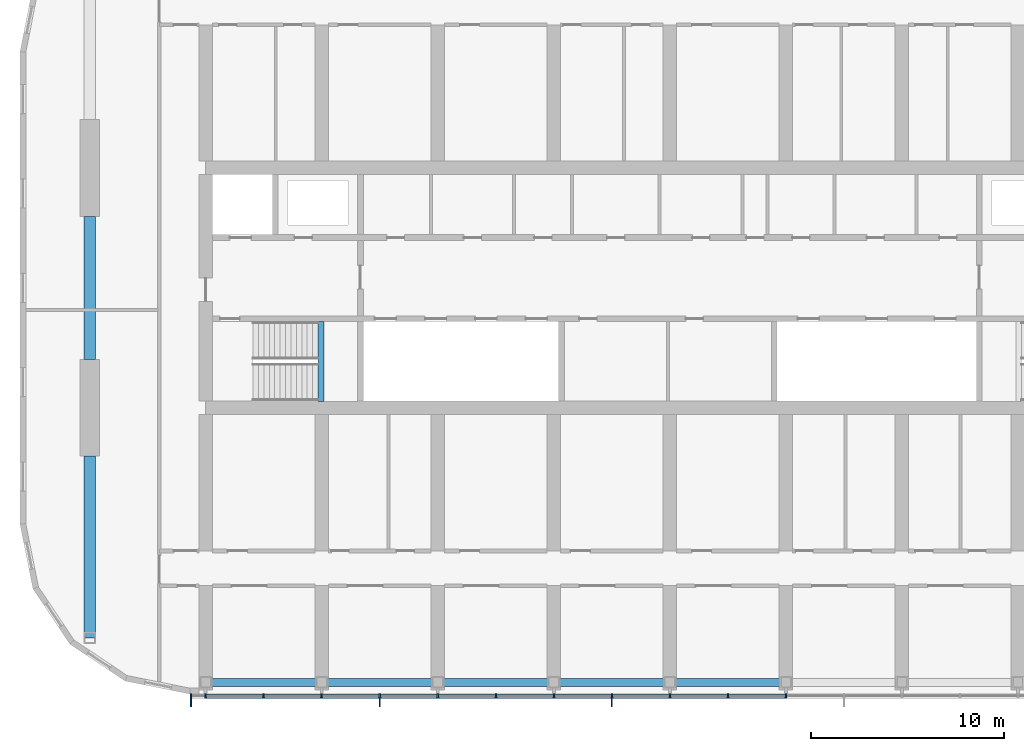
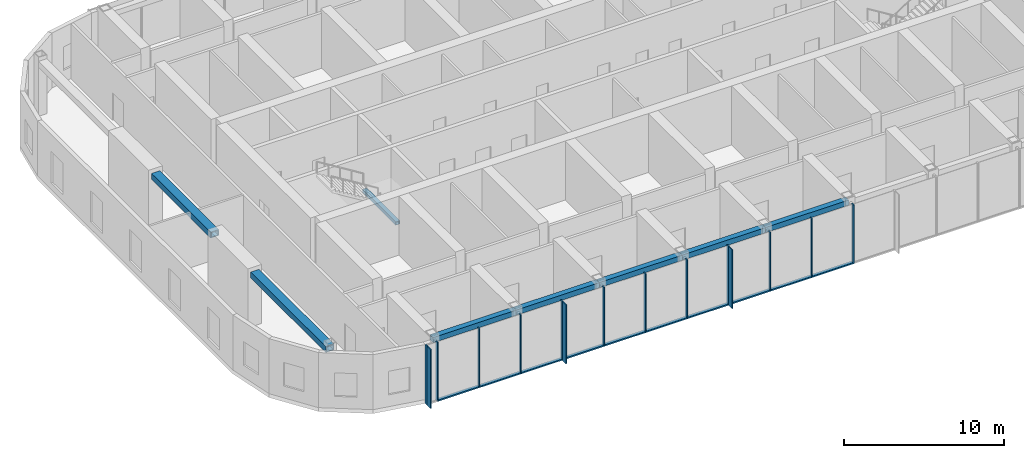
# One storey, part 2 of 21: 25 members, 8 beams, 1 element without a shape of its own.
"""IFC4 building model written with IfcOpenShell, lengths in metres."""

from ifc_helpers import new_model, si_unit, direction, frame, origin, origin_2d, place, context, subcontext, project, spatial, rectangle, hollow_rectangle, extrude, material, material_profile, profile_set, type_object, element, aggregate, save


model = new_model("IFC4")

# Units and contexts
model_context = context("Model", 3, precision=1e-05, world=origin(), true_north=direction((0.0, 1.0)))
body_context = subcontext(model_context, "Body", "Model", "MODEL_VIEW")
ifc_project = project(units=[si_unit("LENGTHUNIT", "METRE"), si_unit("AREAUNIT", "SQUARE_METRE"), si_unit("VOLUMEUNIT", "CUBIC_METRE"), si_unit("PLANEANGLEUNIT", "RADIAN"), si_unit("MASSUNIT", "GRAM", prefix="KILO")], contexts=[model_context])

# Site, building, storey
site_placement = place(None, origin())
site = spatial("IfcSite", under=ifc_project, at=site_placement, CompositionType="ELEMENT")
building_placement = place(site_placement, origin())
building = spatial("IfcBuilding", under=site, at=building_placement, Name="Orbita Commons", CompositionType="ELEMENT")
storey_placement = place(building_placement, frame((0.0, 0.0, 257.800048828125)))
storey = spatial("IfcBuildingStorey", under=building, at=storey_placement, Name="L64", CompositionType="ELEMENT", Elevation=257.800048828125)

# Curtain wall, members
ifc_material_1 = material(Name="Anodised aluminium frame, pale silver", Category="aluminium")
curtain_wall_type = type_object("IfcCurtainWallType", Name="Unitised curtain wall CW-S, full-height", PredefinedType="NOTDEFINED", material=ifc_material_1)
curtain_wall_placement = place(storey_placement, origin())
curtain_wall = element("IfcCurtainWall", 1, at=curtain_wall_placement, inside=storey, type_object=curtain_wall_type, Name="Curtain wall south L64", PredefinedType="NOTDEFINED")
ifc_material_2 = material(Name="Anodised aluminium, pale silver", Category="aluminium")
ifc_material_profile_1 = material_profile(ifc_material_2, rectangle(XDim=0.080078125, YDim=0.219970703125, at=origin_2d()), Name="AL 80x220")
ifc_profile_set_1 = profile_set([ifc_material_profile_1], Name="Anodised aluminium, pale silver")
member_type_1 = type_object("IfcMemberType", Name="Curtain wall mullion 80x220", PredefinedType="MULLION", material=ifc_profile_set_1)
member_1_placement = place(storey_placement, frame((17.239990234375, 10.889892578125, -0.300048828125), z_axis=(0.0, 0.0, 1.0), x_axis=(1.0, 0.0, 0.0)))
member_1 = element("IfcMember", 2, at=member_1_placement, type_object=member_type_1, Name="Mullion 1 CW-L64-S", PredefinedType="MULLION", context=body_context, shape_type="SweptSolid", body=[
    extrude(rectangle(XDim=0.080078125, YDim=0.219970703125, at=origin_2d()), origin(), (0.0, 0.0, 1.0), 4.5),
])
member_2_placement = place(storey_placement, frame((18.0, 10.889892578125, -0.300048828125), z_axis=(0.0, 0.0, 1.0), x_axis=(1.0, 0.0, 0.0)))
member_2 = element("IfcMember", 3, at=member_2_placement, type_object=member_type_1, Name="Mullion 2 CW-L64-S", PredefinedType="MULLION", context=body_context, shape_type="SweptSolid", body=[
    extrude(rectangle(XDim=0.080078125, YDim=0.219970703125, at=origin_2d()), origin(), (0.0, 0.0, 1.0), 4.5),
])
member_3_placement = place(storey_placement, frame((21.0, 10.889892578125, -0.300048828125), z_axis=(0.0, 0.0, 1.0), x_axis=(1.0, 0.0, 0.0)))
member_3 = element("IfcMember", 4, at=member_3_placement, type_object=member_type_1, Name="Mullion 3 CW-L64-S", PredefinedType="MULLION", context=body_context, shape_type="SweptSolid", body=[
    extrude(rectangle(XDim=0.080078125, YDim=0.219970703125, at=origin_2d()), origin(), (0.0, 0.0, 1.0), 4.5),
])
member_4_placement = place(storey_placement, frame((24.0, 10.889892578125, -0.300048828125), z_axis=(0.0, 0.0, 1.0), x_axis=(1.0, 0.0, 0.0)))
member_4 = element("IfcMember", 5, at=member_4_placement, type_object=member_type_1, Name="Mullion 4 CW-L64-S", PredefinedType="MULLION", context=body_context, shape_type="SweptSolid", body=[
    extrude(rectangle(XDim=0.080078125, YDim=0.219970703125, at=origin_2d()), origin(), (0.0, 0.0, 1.0), 4.5),
])
member_5_placement = place(storey_placement, frame((27.0, 10.889892578125, -0.300048828125), z_axis=(0.0, 0.0, 1.0), x_axis=(1.0, 0.0, 0.0)))
member_5 = element("IfcMember", 6, at=member_5_placement, type_object=member_type_1, Name="Mullion 5 CW-L64-S", PredefinedType="MULLION", context=body_context, shape_type="SweptSolid", body=[
    extrude(rectangle(XDim=0.080078125, YDim=0.219970703125, at=origin_2d()), origin(), (0.0, 0.0, 1.0), 4.5),
])
member_6_placement = place(storey_placement, frame((30.0, 10.889892578125, -0.300048828125), z_axis=(0.0, 0.0, 1.0), x_axis=(1.0, 0.0, 0.0)))
member_6 = element("IfcMember", 7, at=member_6_placement, type_object=member_type_1, Name="Mullion 6 CW-L64-S", PredefinedType="MULLION", context=body_context, shape_type="SweptSolid", body=[
    extrude(rectangle(XDim=0.080078125, YDim=0.219970703125, at=origin_2d()), origin(), (0.0, 0.0, 1.0), 4.5),
])
member_7_placement = place(storey_placement, frame((33.0, 10.889892578125, -0.300048828125), z_axis=(0.0, 0.0, 1.0), x_axis=(1.0, 0.0, 0.0)))
member_7 = element("IfcMember", 8, at=member_7_placement, type_object=member_type_1, Name="Mullion 7 CW-L64-S", PredefinedType="MULLION", context=body_context, shape_type="SweptSolid", body=[
    extrude(rectangle(XDim=0.080078125, YDim=0.219970703125, at=origin_2d()), origin(), (0.0, 0.0, 1.0), 4.5),
])
member_8_placement = place(storey_placement, frame((36.0, 10.889892578125, -0.300048828125), z_axis=(0.0, 0.0, 1.0), x_axis=(1.0, 0.0, 0.0)))
member_8 = element("IfcMember", 9, at=member_8_placement, type_object=member_type_1, Name="Mullion 8 CW-L64-S", PredefinedType="MULLION", context=body_context, shape_type="SweptSolid", body=[
    extrude(rectangle(XDim=0.080078125, YDim=0.219970703125, at=origin_2d()), origin(), (0.0, 0.0, 1.0), 4.5),
])
member_9_placement = place(storey_placement, frame((39.0, 10.889892578125, -0.300048828125), z_axis=(0.0, 0.0, 1.0), x_axis=(1.0, 0.0, 0.0)))
member_9 = element("IfcMember", 10, at=member_9_placement, type_object=member_type_1, Name="Mullion 9 CW-L64-S", PredefinedType="MULLION", context=body_context, shape_type="SweptSolid", body=[
    extrude(rectangle(XDim=0.080078125, YDim=0.219970703125, at=origin_2d()), origin(), (0.0, 0.0, 1.0), 4.5),
])
member_10_placement = place(storey_placement, frame((42.0, 10.889892578125, -0.300048828125), z_axis=(0.0, 0.0, 1.0), x_axis=(1.0, 0.0, 0.0)))
member_10 = element("IfcMember", 11, at=member_10_placement, type_object=member_type_1, Name="Mullion 10 CW-L64-S", PredefinedType="MULLION", context=body_context, shape_type="SweptSolid", body=[
    extrude(rectangle(XDim=0.080078125, YDim=0.219970703125, at=origin_2d()), origin(), (0.0, 0.0, 1.0), 4.5),
])
member_11_placement = place(storey_placement, frame((45.0, 10.889892578125, -0.300048828125), z_axis=(0.0, 0.0, 1.0), x_axis=(1.0, 0.0, 0.0)))
member_11 = element("IfcMember", 12, at=member_11_placement, type_object=member_type_1, Name="Mullion 11 CW-L64-S", PredefinedType="MULLION", context=body_context, shape_type="SweptSolid", body=[
    extrude(rectangle(XDim=0.080078125, YDim=0.219970703125, at=origin_2d()), origin(), (0.0, 0.0, 1.0), 4.5),
])
member_12_placement = place(storey_placement, frame((48.0, 10.889892578125, -0.300048828125), z_axis=(0.0, 0.0, 1.0), x_axis=(1.0, 0.0, 0.0)))
member_12 = element("IfcMember", 13, at=member_12_placement, type_object=member_type_1, Name="Mullion 12 CW-L64-S", PredefinedType="MULLION", context=body_context, shape_type="SweptSolid", body=[
    extrude(rectangle(XDim=0.080078125, YDim=0.219970703125, at=origin_2d()), origin(), (0.0, 0.0, 1.0), 4.5),
])
ifc_material_3 = material(Name="Anodised aluminium, pale silver", Category="aluminium")
ifc_material_profile_2 = material_profile(ifc_material_3, rectangle(XDim=0.219970703125, YDim=0.10009765625, at=origin_2d()), Name="AL 220x100")
ifc_profile_set_2 = profile_set([ifc_material_profile_2], Name="Anodised aluminium, pale silver")
member_type_2 = type_object("IfcMemberType", Name="Curtain wall stack transom 220x100", PredefinedType="USERDEFINED", material=ifc_profile_set_2)
member_13_placement = place(storey_placement, frame((18.0400390625, 10.889892578125, -0.25), z_axis=(1.0, 0.0, 0.0), x_axis=(0.0, 1.0, 0.0)))
member_13 = element("IfcMember", 14, at=member_13_placement, type_object=member_type_2, Name="Transom 2.1 CW-L64-S", ObjectType="TRANSOM", PredefinedType="USERDEFINED", context=body_context, shape_type="SweptSolid", body=[
    extrude(rectangle(XDim=0.219970703125, YDim=0.10009765625, at=origin_2d()), origin(), (0.0, 0.0, 1.0), 2.919921875),
])
member_14_placement = place(storey_placement, frame((21.0400390625, 10.889892578125, -0.25), z_axis=(1.0, 0.0, 0.0), x_axis=(0.0, 1.0, 0.0)))
member_14 = element("IfcMember", 15, at=member_14_placement, type_object=member_type_2, Name="Transom 3.1 CW-L64-S", ObjectType="TRANSOM", PredefinedType="USERDEFINED", context=body_context, shape_type="SweptSolid", body=[
    extrude(rectangle(XDim=0.219970703125, YDim=0.10009765625, at=origin_2d()), origin(), (0.0, 0.0, 1.0), 2.919921875),
])
member_15_placement = place(storey_placement, frame((24.0400390625, 10.889892578125, -0.25), z_axis=(1.0, 0.0, 0.0), x_axis=(0.0, 1.0, 0.0)))
member_15 = element("IfcMember", 16, at=member_15_placement, type_object=member_type_2, Name="Transom 4.1 CW-L64-S", ObjectType="TRANSOM", PredefinedType="USERDEFINED", context=body_context, shape_type="SweptSolid", body=[
    extrude(rectangle(XDim=0.219970703125, YDim=0.10009765625, at=origin_2d()), origin(), (0.0, 0.0, 1.0), 2.919921875),
])
member_16_placement = place(storey_placement, frame((27.0400390625, 10.889892578125, -0.25), z_axis=(1.0, 0.0, 0.0), x_axis=(0.0, 1.0, 0.0)))
member_16 = element("IfcMember", 17, at=member_16_placement, type_object=member_type_2, Name="Transom 5.1 CW-L64-S", ObjectType="TRANSOM", PredefinedType="USERDEFINED", context=body_context, shape_type="SweptSolid", body=[
    extrude(rectangle(XDim=0.219970703125, YDim=0.10009765625, at=origin_2d()), origin(), (0.0, 0.0, 1.0), 2.919921875),
])
member_17_placement = place(storey_placement, frame((30.0400390625, 10.889892578125, -0.25), z_axis=(1.0, 0.0, 0.0), x_axis=(0.0, 1.0, 0.0)))
member_17 = element("IfcMember", 18, at=member_17_placement, type_object=member_type_2, Name="Transom 6.1 CW-L64-S", ObjectType="TRANSOM", PredefinedType="USERDEFINED", context=body_context, shape_type="SweptSolid", body=[
    extrude(rectangle(XDim=0.219970703125, YDim=0.10009765625, at=origin_2d()), origin(), (0.0, 0.0, 1.0), 2.919921875),
])
member_18_placement = place(storey_placement, frame((33.0400390625, 10.889892578125, -0.25), z_axis=(1.0, 0.0, 0.0), x_axis=(0.0, 1.0, 0.0)))
member_18 = element("IfcMember", 19, at=member_18_placement, type_object=member_type_2, Name="Transom 7.1 CW-L64-S", ObjectType="TRANSOM", PredefinedType="USERDEFINED", context=body_context, shape_type="SweptSolid", body=[
    extrude(rectangle(XDim=0.219970703125, YDim=0.10009765625, at=origin_2d()), origin(), (0.0, 0.0, 1.0), 2.919921875),
])
member_19_placement = place(storey_placement, frame((36.0400390625, 10.889892578125, -0.25), z_axis=(1.0, 0.0, 0.0), x_axis=(0.0, 1.0, 0.0)))
member_19 = element("IfcMember", 20, at=member_19_placement, type_object=member_type_2, Name="Transom 8.1 CW-L64-S", ObjectType="TRANSOM", PredefinedType="USERDEFINED", context=body_context, shape_type="SweptSolid", body=[
    extrude(rectangle(XDim=0.219970703125, YDim=0.10009765625, at=origin_2d()), origin(), (0.0, 0.0, 1.0), 2.919921875),
])
member_20_placement = place(storey_placement, frame((39.0400390625, 10.889892578125, -0.25), z_axis=(1.0, 0.0, 0.0), x_axis=(0.0, 1.0, 0.0)))
member_20 = element("IfcMember", 21, at=member_20_placement, type_object=member_type_2, Name="Transom 9.1 CW-L64-S", ObjectType="TRANSOM", PredefinedType="USERDEFINED", context=body_context, shape_type="SweptSolid", body=[
    extrude(rectangle(XDim=0.219970703125, YDim=0.10009765625, at=origin_2d()), origin(), (0.0, 0.0, 1.0), 2.919921875),
])
member_21_placement = place(storey_placement, frame((42.0400390625, 10.889892578125, -0.25), z_axis=(1.0, 0.0, 0.0), x_axis=(0.0, 1.0, 0.0)))
member_21 = element("IfcMember", 22, at=member_21_placement, type_object=member_type_2, Name="Transom 10.1 CW-L64-S", ObjectType="TRANSOM", PredefinedType="USERDEFINED", context=body_context, shape_type="SweptSolid", body=[
    extrude(rectangle(XDim=0.219970703125, YDim=0.10009765625, at=origin_2d()), origin(), (0.0, 0.0, 1.0), 2.919921875),
])
member_22_placement = place(storey_placement, frame((45.0400390625, 10.889892578125, -0.25), z_axis=(1.0, 0.0, 0.0), x_axis=(0.0, 1.0, 0.0)))
member_22 = element("IfcMember", 23, at=member_22_placement, type_object=member_type_2, Name="Transom 11.1 CW-L64-S", ObjectType="TRANSOM", PredefinedType="USERDEFINED", context=body_context, shape_type="SweptSolid", body=[
    extrude(rectangle(XDim=0.219970703125, YDim=0.10009765625, at=origin_2d()), origin(), (0.0, 0.0, 1.0), 2.919921875),
])

# Beams
ifc_material_4 = material(Name="Steel ASTM A572 Gr 50 welded plate", Category="steel")
ifc_material_profile_3 = material_profile(ifc_material_4, hollow_rectangle(XDim=0.300048828125, YDim=0.25, WallThickness=0.02490234375, at=origin_2d()), Name="BOX 250x300x25")
ifc_profile_set_3 = profile_set([ifc_material_profile_3], Name="Steel ASTM A572 Gr 50 welded plate")
beam_type_1 = type_object("IfcBeamType", Name="Stair landing beam steel BOX 250x300x25", PredefinedType="BEAM", material=ifc_profile_set_3)
beam_1_placement = place(storey_placement, frame((23.9599609375, 26.135009765625, 1.925048828125), z_axis=(0.0, 1.0, 0.0), x_axis=(-1.0, 0.0, 0.0)))
element("IfcBeam", 24, at=beam_1_placement, inside=storey, type_object=beam_type_1, Name="Stair S1 landing beam L64 1", PredefinedType="BEAM", context=body_context, shape_type="SweptSolid", body=[
    extrude(hollow_rectangle(XDim=0.300048828125, YDim=0.25, WallThickness=0.02490234375, at=origin_2d()), origin(), (0.0, 0.0, 1.0), 4.1298828125),
])
ifc_material_5 = material(Name="Steel ASTM A572 Gr 50 welded plate", Category="steel")
ifc_material_profile_4 = material_profile(ifc_material_5, hollow_rectangle(XDim=0.60009765625, YDim=0.449951171875, WallThickness=0.06005859375, at=origin_2d()), Name="BOX 450x600x60")
ifc_profile_set_4 = profile_set([ifc_material_profile_4], Name="Steel ASTM A572 Gr 50 welded plate")
beam_type_2 = type_object("IfcBeamType", Name="Steel end frame link BOX 450x600x60", PredefinedType="BEAM", material=ifc_profile_set_4)
beam_2_placement = place(storey_placement, frame((12.0, 13.89990234375, 3.974853515625), z_axis=(0.0, 1.0, 0.0), x_axis=(-1.0, 0.0, 0.0)))
element("IfcBeam", 25, at=beam_2_placement, inside=storey, type_object=beam_type_2, Name="End frame beam 3 B-C L64", PredefinedType="BEAM", context=body_context, shape_type="SweptSolid", body=[
    extrude(hollow_rectangle(XDim=0.60009765625, YDim=0.449951171875, WallThickness=0.06005859375, at=origin_2d()), origin(), (0.0, 0.0, 1.0), 9.400146484375),
])
beam_3_placement = place(storey_placement, frame((12.0, 28.300048828125, 3.974853515625), z_axis=(0.0, 1.0, 0.0), x_axis=(-1.0, 0.0, 0.0)))
element("IfcBeam", 26, at=beam_3_placement, inside=storey, type_object=beam_type_2, Name="End frame beam 3 C-D L64", PredefinedType="BEAM", context=body_context, shape_type="SweptSolid", body=[
    extrude(hollow_rectangle(XDim=0.60009765625, YDim=0.449951171875, WallThickness=0.06005859375, at=origin_2d()), origin(), (0.0, 0.0, 1.0), 7.39990234375),
])
ifc_material_6 = material(Name="Steel ASTM A572 Gr 50 welded plate", Category="steel")
ifc_material_profile_5 = material_profile(ifc_material_6, hollow_rectangle(XDim=0.39990234375, YDim=0.39990234375, WallThickness=0.0400390625, at=origin_2d()), Name="BOX 400x400x40")
ifc_profile_set_5 = profile_set([ifc_material_profile_5], Name="Steel ASTM A572 Gr 50 welded plate")
beam_type_3 = type_object("IfcBeamType", Name="Steel spandrel BOX 400x400x40", PredefinedType="SPANDREL", material=ifc_profile_set_5)
for number, where, z_axis, x_axis, name in (
    (27, (18.0, 11.60009765625, 4.0), (1.0, 0.0, 0.0), (0.0, 1.0, 0.0), "Spandrel beam B 4-5 L64"),
    (28, (24.0, 11.60009765625, 4.0), (1.0, 0.0, 0.0), (0.0, 1.0, 0.0), "Spandrel beam B 5-6 L64"),
    (29, (30.0, 11.60009765625, 4.0), (1.0, 0.0, 0.0), (0.0, 1.0, 0.0), "Spandrel beam B 6-7 L64"),
    (30, (36.0, 11.60009765625, 4.0), (1.0, 0.0, 0.0), (0.0, 1.0, 0.0), "Spandrel beam B 7-8 L64"),
    (31, (42.0, 11.60009765625, 4.0), (1.0, 0.0, 0.0), (0.0, 1.0, 0.0), "Spandrel beam B 8-9 L64"),
):
    element("IfcBeam", number, at=place(storey_placement, frame(where, z_axis=z_axis, x_axis=x_axis)), inside=storey, type_object=beam_type_3, Name=name, PredefinedType="SPANDREL", context=body_context, shape_type="SweptSolid", body=[
        extrude(hollow_rectangle(XDim=0.39990234375, YDim=0.39990234375, WallThickness=0.0400390625, at=origin_2d()), origin(), (0.0, 0.0, 1.0), 6.0),
    ])

# Member
ifc_material_7 = material(Name="Anodised aluminium, pale silver", Category="aluminium")
ifc_material_profile_6 = material_profile(ifc_material_7, rectangle(XDim=0.06005859375, YDim=0.449951171875, at=origin_2d()), Name="FIN 60x450")
ifc_profile_set_6 = profile_set([ifc_material_profile_6], Name="Anodised aluminium, pale silver")
member_type_3 = type_object("IfcMemberType", Name="Vertical fin 60x450 pale aluminium", PredefinedType="USERDEFINED", material=ifc_profile_set_6)
member_23_placement = place(storey_placement, frame((17.239990234375, 10.554931640625, -0.300048828125), z_axis=(0.0, 0.0, 1.0), x_axis=(1.0, 0.0, 0.0)))
member_23 = element("IfcMember", 32, at=member_23_placement, type_object=member_type_3, Name="Fin 1 CW-L64-S", ObjectType="FIN", PredefinedType="USERDEFINED", context=body_context, shape_type="SweptSolid", body=[
    extrude(rectangle(XDim=0.06005859375, YDim=0.449951171875, at=origin_2d()), origin(), (0.0, 0.0, 1.0), 4.5),
])

member_24_placement = place(storey_placement, frame((27.0, 10.554931640625, -0.300048828125), z_axis=(0.0, 0.0, 1.0), x_axis=(1.0, 0.0, 0.0)))
member_24 = element("IfcMember", 33, at=member_24_placement, type_object=member_type_3, Name="Fin 5 CW-L64-S", ObjectType="FIN", PredefinedType="USERDEFINED", context=body_context, shape_type="SweptSolid", body=[
    extrude(rectangle(XDim=0.06005859375, YDim=0.449951171875, at=origin_2d()), origin(), (0.0, 0.0, 1.0), 4.5),
])

member_25_placement = place(storey_placement, frame((39.0, 10.554931640625, -0.300048828125), z_axis=(0.0, 0.0, 1.0), x_axis=(1.0, 0.0, 0.0)))
member_25 = element("IfcMember", 34, at=member_25_placement, type_object=member_type_3, Name="Fin 9 CW-L64-S", ObjectType="FIN", PredefinedType="USERDEFINED", context=body_context, shape_type="SweptSolid", body=[
    extrude(rectangle(XDim=0.06005859375, YDim=0.449951171875, at=origin_2d()), origin(), (0.0, 0.0, 1.0), 4.5),
])

aggregate(curtain_wall, [member_1, member_23, member_2, member_3, member_4, member_5, member_24, member_6, member_7, member_8, member_9, member_25, member_10, member_11, member_12, member_13, member_14, member_15, member_16, member_17, member_18, member_19, member_20, member_21, member_22])

save(model, "model.ifc")
